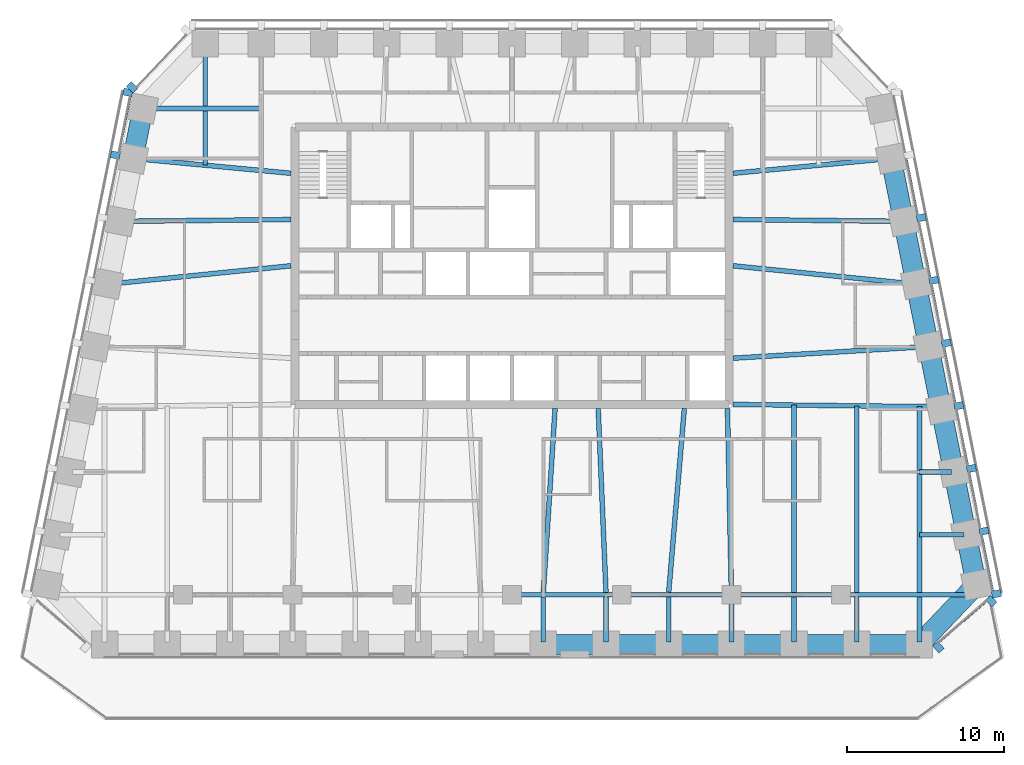
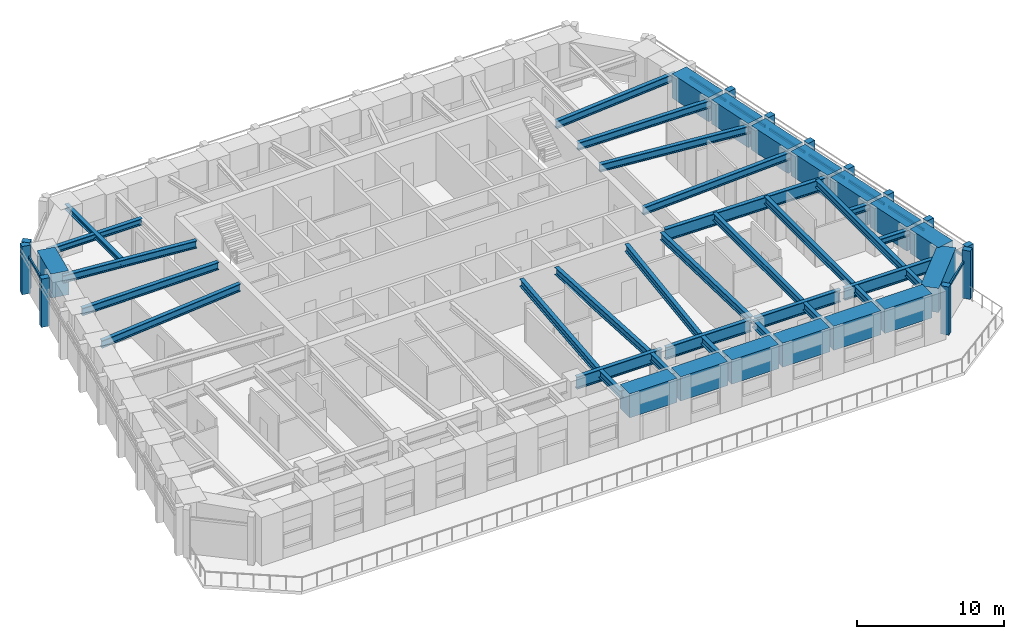
# One storey, part 2 of 11: 45 beams, 21 members, 4 elements without a shape of their own.
"""IFC4 building model written with IfcOpenShell, lengths in metres."""

from ifc_helpers import new_model, si_unit, direction, frame, origin, origin_2d, place, context, subcontext, project, spatial, rectangle, i_section, extrude, material, material_profile, profile_set, type_object, element, aggregate, save


model = new_model("IFC4")

# Units and contexts
model_context = context("Model", 3, precision=1e-05, world=origin(), true_north=direction((0.0, 1.0)))
body_context = subcontext(model_context, "Body", "Model", "MODEL_VIEW")
ifc_project = project(units=[si_unit("LENGTHUNIT", "METRE"), si_unit("AREAUNIT", "SQUARE_METRE"), si_unit("VOLUMEUNIT", "CUBIC_METRE"), si_unit("PLANEANGLEUNIT", "RADIAN"), si_unit("MASSUNIT", "GRAM", prefix="KILO")], contexts=[model_context])

# Site, building, storey
site_placement = place(None, origin())
site = spatial("IfcSite", under=ifc_project, at=site_placement, CompositionType="ELEMENT")
building_placement = place(site_placement, origin())
building = spatial("IfcBuilding", under=site, at=building_placement, Name="Isbrekke Arena Tower", CompositionType="ELEMENT")
storey_placement = place(building_placement, frame((0.0, 0.0, 272.0)))
storey = spatial("IfcBuildingStorey", under=building, at=storey_placement, Name="L63", CompositionType="ELEMENT", Elevation=272.0)

# Beams
ifc_material_1 = material(Name="Steel S355", Category="steel")
ifc_material_profile_1 = material_profile(ifc_material_1, i_section(OverallWidth=0.304931640625, OverallDepth=0.6201171875, WebThickness=0.02099609375, FlangeThickness=0.0400390625, FilletRadius=0.027099609375, at=origin_2d()), Name="HEM 600")
ifc_profile_set_1 = profile_set([ifc_material_profile_1], Name="Steel S355")
beam_type_1 = type_object("IfcBeamType", Name="B4 HEM 600", PredefinedType="BEAM", material=ifc_profile_set_1)
for number, where, z_axis, x_axis, name in (
    (1, (2.0, -9.02490234375, 3.5400390625), (0.0, 1.0, 0.0), (-1.0, 0.0, 0.0), "B4 beam S-S08 L63"),
    (2, (6.0, -9.02490234375, 3.5400390625), (0.0, 1.0, 0.0), (-1.0, 0.0, 0.0), "B4 beam S-S09 L63"),
    (3, (10.0, -9.02490234375, 3.5400390625), (0.0, 1.0, 0.0), (-1.0, 0.0, 0.0), "B4 beam S-S10 L63"),
):
    element("IfcBeam", number, at=place(storey_placement, frame(where, z_axis=z_axis, x_axis=x_axis)), inside=storey, type_object=beam_type_1, Name=name, PredefinedType="BEAM", context=body_context, shape_type="SweptSolid", body=[
        extrude(i_section(OverallWidth=0.304931640625, OverallDepth=0.6201171875, WebThickness=0.02099609375, FlangeThickness=0.0400390625, FilletRadius=0.027099609375, at=origin_2d()), origin(), (0.0, 0.0, 1.0), 2.8740234375),
    ])
beam_1_placement = place(storey_placement, frame((14.0, -9.02490234375, 3.5400390625), z_axis=(0.0, 1.0, 0.0), x_axis=(-1.0, 0.0, 0.0)))
element("IfcBeam", 4, at=beam_1_placement, inside=storey, type_object=beam_type_1, Name="B4 beam S-S11 L63", PredefinedType="BEAM", context=body_context, shape_type="SweptSolid", body=[
    extrude(i_section(OverallWidth=0.304931640625, OverallDepth=0.6201171875, WebThickness=0.02099609375, FlangeThickness=0.0400390625, FilletRadius=0.027099609375, at=origin_2d()), origin(), (0.0, 0.0, 1.0), 2.875),
])
for number, where, z_axis, x_axis, name in (
    (5, (18.0, -9.02490234375, 3.5400390625), (0.0, 1.0, 0.0), (-1.0, 0.0, 0.0), "B4 beam S-S12 L63"),
    (6, (22.0, -9.02490234375, 3.5400390625), (0.0, 1.0, 0.0), (-1.0, 0.0, 0.0), "B4 beam S-S13 L63"),
    (7, (26.0, -9.02490234375, 3.5400390625), (0.0, 1.0, 0.0), (-1.0, 0.0, 0.0), "B4 beam S-S14 L63"),
):
    element("IfcBeam", number, at=place(storey_placement, frame(where, z_axis=z_axis, x_axis=x_axis)), inside=storey, type_object=beam_type_1, Name=name, PredefinedType="BEAM", context=body_context, shape_type="SweptSolid", body=[
        extrude(i_section(OverallWidth=0.304931640625, OverallDepth=0.6201171875, WebThickness=0.02099609375, FlangeThickness=0.0400390625, FilletRadius=0.027099609375, at=origin_2d()), origin(), (0.0, 0.0, 1.0), 2.8740234375),
    ])
beam_2_placement = place(storey_placement, frame((2.000732421875, -5.83935546875, 3.5400390625), z_axis=(0.063696196046, 0.997969335506, 0.0), x_axis=(-0.997969335506, 0.063696196046, 0.0)))
element("IfcBeam", 8, at=beam_2_placement, inside=storey, type_object=beam_type_1, Name="B4 beam C-M08 L63", PredefinedType="BEAM", context=body_context, shape_type="SweptSolid", body=[
    extrude(i_section(OverallWidth=0.304931640625, OverallDepth=0.6201171875, WebThickness=0.02099609375, FlangeThickness=0.0400390625, FilletRadius=0.027099609375, at=origin_2d()), origin(), (0.0, 0.0, 1.0), 11.76318359375),
])
beam_3_placement = place(storey_placement, frame((5.999755859375, -5.842529296875, 3.5400390625), z_axis=(-0.042521334166, 0.999095559064, 0.0), x_axis=(-0.999095559064, -0.042521334166, 0.0)))
element("IfcBeam", 9, at=beam_3_placement, inside=storey, type_object=beam_type_1, Name="B4 beam C-M09 L63", PredefinedType="BEAM", context=body_context, shape_type="SweptSolid", body=[
    extrude(i_section(OverallWidth=0.304931640625, OverallDepth=0.6201171875, WebThickness=0.02099609375, FlangeThickness=0.0400390625, FilletRadius=0.027099609375, at=origin_2d()), origin(), (0.0, 0.0, 1.0), 11.753173828125),
])
beam_4_placement = place(storey_placement, frame((10.0009765625, -5.836181640625, 3.5400390625), z_axis=(0.084817344046, 0.996396516528, 0.0), x_axis=(-0.996396516528, 0.084817344046, 0.0)))
element("IfcBeam", 10, at=beam_4_placement, inside=storey, type_object=beam_type_1, Name="B4 beam C-M10 L63", PredefinedType="BEAM", context=body_context, shape_type="SweptSolid", body=[
    extrude(i_section(OverallWidth=0.304931640625, OverallDepth=0.6201171875, WebThickness=0.02099609375, FlangeThickness=0.0400390625, FilletRadius=0.027099609375, at=origin_2d()), origin(), (0.0, 0.0, 1.0), 11.778564453125),
])
beam_5_placement = place(storey_placement, frame((14.0, -5.8466796875, 3.5400390625), z_axis=(-0.021277968258, 0.999773598405, 0.0), x_axis=(-0.999773598405, -0.021277968258, 0.0)))
element("IfcBeam", 11, at=beam_5_placement, inside=storey, type_object=beam_type_1, Name="B4 beam C-M11 L63", PredefinedType="BEAM", context=body_context, shape_type="SweptSolid", body=[
    extrude(i_section(OverallWidth=0.304931640625, OverallDepth=0.6201171875, WebThickness=0.02099609375, FlangeThickness=0.0400390625, FilletRadius=0.027099609375, at=origin_2d()), origin(), (0.0, 0.0, 1.0), 11.749267578125),
])
beam_6_placement = place(storey_placement, frame((18.0, -5.84912109375, 3.5400390625), z_axis=(0.0, 1.0, 0.0), x_axis=(-1.0, 0.0, 0.0)))
element("IfcBeam", 12, at=beam_6_placement, inside=storey, type_object=beam_type_1, Name="B4 beam C-M12 L63", PredefinedType="BEAM", context=body_context, shape_type="SweptSolid", body=[
    extrude(i_section(OverallWidth=0.304931640625, OverallDepth=0.6201171875, WebThickness=0.02099609375, FlangeThickness=0.0400390625, FilletRadius=0.027099609375, at=origin_2d()), origin(), (0.0, 0.0, 1.0), 11.955078125),
])
beam_7_placement = place(storey_placement, frame((22.0, -5.84912109375, 3.5400390625), z_axis=(0.0, 1.0, 0.0), x_axis=(-1.0, 0.0, 0.0)))
element("IfcBeam", 13, at=beam_7_placement, inside=storey, type_object=beam_type_1, Name="B4 beam C-M13 L63", PredefinedType="BEAM", context=body_context, shape_type="SweptSolid", body=[
    extrude(i_section(OverallWidth=0.304931640625, OverallDepth=0.6201171875, WebThickness=0.02099609375, FlangeThickness=0.0400390625, FilletRadius=0.027099609375, at=origin_2d()), origin(), (0.0, 0.0, 1.0), 11.909912109375),
])
beam_8_placement = place(storey_placement, frame((26.0, -5.84912109375, 3.5400390625), z_axis=(0.0, 1.0, 0.0), x_axis=(-1.0, 0.0, 0.0)))
element("IfcBeam", 14, at=beam_8_placement, inside=storey, type_object=beam_type_1, Name="B4 beam C-M14 L63", PredefinedType="BEAM", context=body_context, shape_type="SweptSolid", body=[
    extrude(i_section(OverallWidth=0.304931640625, OverallDepth=0.6201171875, WebThickness=0.02099609375, FlangeThickness=0.0400390625, FilletRadius=0.027099609375, at=origin_2d()), origin(), (0.0, 0.0, 1.0), 11.86474609375),
])
beam_9_placement = place(storey_placement, frame((26.431884765625, 9.837646484375, 3.5400390625), z_axis=(-0.998216240514, -0.059702070095, 0.0), x_axis=(0.059702070095, -0.998216240514, 0.0)))
element("IfcBeam", 15, at=beam_9_placement, inside=storey, type_object=beam_type_1, Name="B4 beam E-E05 L63", PredefinedType="BEAM", context=body_context, shape_type="SweptSolid", body=[
    extrude(i_section(OverallWidth=0.304931640625, OverallDepth=0.6201171875, WebThickness=0.02099609375, FlangeThickness=0.0400390625, FilletRadius=0.027099609375, at=origin_2d()), origin(), (0.0, 0.0, 1.0), 12.353759765625),
])
beam_10_placement = place(storey_placement, frame((25.625732421875, 13.83984375, 3.5400390625), z_axis=(-0.994972081505, 0.100152668587, 0.0), x_axis=(-0.100152668587, -0.994972081505, 0.0)))
element("IfcBeam", 16, at=beam_10_placement, inside=storey, type_object=beam_type_1, Name="B4 beam E-E06 L63", PredefinedType="BEAM", context=body_context, shape_type="SweptSolid", body=[
    extrude(i_section(OverallWidth=0.304931640625, OverallDepth=0.6201171875, WebThickness=0.02099609375, FlangeThickness=0.0400390625, FilletRadius=0.027099609375, at=origin_2d()), origin(), (0.0, 0.0, 1.0), 11.583984375),
])
beam_11_placement = place(storey_placement, frame((24.83935546875, 17.838134765625, 3.5400390625), z_axis=(-0.999945800258, 0.010411366203, 0.0), x_axis=(-0.010411366203, -0.999945800258, 0.0)))
element("IfcBeam", 17, at=beam_11_placement, inside=storey, type_object=beam_type_1, Name="B4 beam E-E07 L63", PredefinedType="BEAM", context=body_context, shape_type="SweptSolid", body=[
    extrude(i_section(OverallWidth=0.304931640625, OverallDepth=0.6201171875, WebThickness=0.02099609375, FlangeThickness=0.0400390625, FilletRadius=0.027099609375, at=origin_2d()), origin(), (0.0, 0.0, 1.0), 10.73974609375),
])
for number, where, z_axis, x_axis, name in (
    (18, (24.02685546875, 21.8369140625, 3.5400390625), (-0.995574576627, -0.093974796485, 0.0), (0.093974796485, -0.995574576627, 0.0), "B4 beam E-E08 L63"),
    (19, (-24.02685546875, 21.8369140625, 3.5400390625), (0.995574576627, -0.093974796485, 0.0), (0.093974796485, 0.995574576627, 0.0), "B4 beam E-W02 L63"),
):
    element("IfcBeam", number, at=place(storey_placement, frame(where, z_axis=z_axis, x_axis=x_axis)), inside=storey, type_object=beam_type_1, Name=name, PredefinedType="BEAM", context=body_context, shape_type="SweptSolid", body=[
        extrude(i_section(OverallWidth=0.304931640625, OverallDepth=0.6201171875, WebThickness=0.02099609375, FlangeThickness=0.0400390625, FilletRadius=0.027099609375, at=origin_2d()), origin(), (0.0, 0.0, 1.0), 9.970947265625),
    ])
beam_12_placement = place(storey_placement, frame((-24.83935546875, 17.838134765625, 3.5400390625), z_axis=(0.999945800258, 0.010411366203, 0.0), x_axis=(-0.010411366203, 0.999945800258, 0.0)))
element("IfcBeam", 20, at=beam_12_placement, inside=storey, type_object=beam_type_1, Name="B4 beam E-W03 L63", PredefinedType="BEAM", context=body_context, shape_type="SweptSolid", body=[
    extrude(i_section(OverallWidth=0.304931640625, OverallDepth=0.6201171875, WebThickness=0.02099609375, FlangeThickness=0.0400390625, FilletRadius=0.027099609375, at=origin_2d()), origin(), (0.0, 0.0, 1.0), 10.73974609375),
])
beam_13_placement = place(storey_placement, frame((-25.625732421875, 13.83984375, 3.5400390625), z_axis=(0.994972081505, 0.100152668587, 0.0), x_axis=(-0.100152668587, 0.994972081505, 0.0)))
element("IfcBeam", 21, at=beam_13_placement, inside=storey, type_object=beam_type_1, Name="B4 beam E-W04 L63", PredefinedType="BEAM", context=body_context, shape_type="SweptSolid", body=[
    extrude(i_section(OverallWidth=0.304931640625, OverallDepth=0.6201171875, WebThickness=0.02099609375, FlangeThickness=0.0400390625, FilletRadius=0.027099609375, at=origin_2d()), origin(), (0.0, 0.0, 1.0), 11.583984375),
])
ifc_material_2 = material(Name="Steel S355", Category="steel")
ifc_material_profile_2 = material_profile(ifc_material_2, i_section(OverallWidth=0.305908203125, OverallDepth=0.52392578125, WebThickness=0.02099609375, FlangeThickness=0.0400390625, FilletRadius=0.027099609375, at=origin_2d()), Name="HEM 500")
ifc_profile_set_2 = profile_set([ifc_material_profile_2], Name="Steel S355")
beam_type_2 = type_object("IfcBeamType", Name="B5 HEM 500", PredefinedType="BEAM", material=ifc_profile_set_2)
beam_14_placement = place(storey_placement, frame((28.841064453125, -2.161865234375, 3.587890625), z_axis=(-1.0, 0.0, 0.0), x_axis=(0.0, -1.0, 0.0)))
element("IfcBeam", 22, at=beam_14_placement, inside=storey, type_object=beam_type_2, Name="B5 beam E-E02 L63", PredefinedType="BEAM", context=body_context, shape_type="SweptSolid", body=[
    extrude(i_section(OverallWidth=0.305908203125, OverallDepth=0.52392578125, WebThickness=0.02099609375, FlangeThickness=0.0400390625, FilletRadius=0.027099609375, at=origin_2d()), origin(), (0.0, 0.0, 1.0), 2.841064453125),
])
beam_15_placement = place(storey_placement, frame((28.041015625, 1.838134765625, 3.587890625), z_axis=(-1.0, 0.0, 0.0), x_axis=(0.0, -1.0, 0.0)))
element("IfcBeam", 23, at=beam_15_placement, inside=storey, type_object=beam_type_2, Name="B5 beam E-E03 L63", PredefinedType="BEAM", context=body_context, shape_type="SweptSolid", body=[
    extrude(i_section(OverallWidth=0.305908203125, OverallDepth=0.52392578125, WebThickness=0.02099609375, FlangeThickness=0.0400390625, FilletRadius=0.027099609375, at=origin_2d()), origin(), (0.0, 0.0, 1.0), 2.041015625),
])
beam_16_placement = place(storey_placement, frame((-23.40283203125, 25.029296875, 3.587890625), z_axis=(1.0, 0.0, 0.0), x_axis=(0.0, 1.0, 0.0)))
element("IfcBeam", 24, at=beam_16_placement, inside=storey, type_object=beam_type_2, Name="B5 beam E-W01 L63", PredefinedType="BEAM", context=body_context, shape_type="SweptSolid", body=[
    extrude(i_section(OverallWidth=0.305908203125, OverallDepth=0.52392578125, WebThickness=0.02099609375, FlangeThickness=0.0400390625, FilletRadius=0.027099609375, at=origin_2d()), origin(), (0.0, 0.0, 1.0), 7.40283203125),
])
ifc_material_3 = material(Name="Steel S355", Category="steel")
ifc_material_profile_3 = material_profile(ifc_material_3, i_section(OverallWidth=0.306884765625, OverallDepth=0.431884765625, WebThickness=0.02099609375, FlangeThickness=0.0400390625, FilletRadius=0.027099609375, at=origin_2d()), Name="HEM 400")
ifc_profile_set_3 = profile_set([ifc_material_profile_3], Name="Steel S355")
beam_type_3 = type_object("IfcBeamType", Name="B6 HEM 400", PredefinedType="BEAM", material=ifc_profile_set_3)
beam_17_placement = place(storey_placement, frame((-19.574951171875, 29.02490234375, 3.634033203125), z_axis=(0.0, -1.0, 0.0), x_axis=(1.0, 0.0, 0.0)))
element("IfcBeam", 25, at=beam_17_placement, inside=storey, type_object=beam_type_3, Name="B6 beam N-N11 L63", PredefinedType="BEAM", context=body_context, shape_type="SweptSolid", body=[
    extrude(i_section(OverallWidth=0.306884765625, OverallDepth=0.431884765625, WebThickness=0.02099609375, FlangeThickness=0.0400390625, FilletRadius=0.027099609375, at=origin_2d()), origin(), (0.0, 0.0, 1.0), 7.608154296875),
])

# Curtain wall, members
ifc_material_4 = material(Name="Glazed aluminium curtain wall", Category="aluminium")
curtain_wall_type = type_object("IfcCurtainWallType", Name="CWT TOWER CURTAIN WALL TOP ZONE", PredefinedType="USERDEFINED", material=ifc_material_4)
curtain_wall_1_placement = place(storey_placement, origin())
curtain_wall_1 = element("IfcCurtainWall", 26, at=curtain_wall_1_placement, inside=storey, type_object=curtain_wall_type, Name="CWT curtain wall L63-SE", ObjectType="TOWER CURTAIN WALL TOP ZONE", PredefinedType="USERDEFINED")
ifc_material_5 = material(Name="Copper-clad aluminium mullion", Category="aluminium")
ifc_material_profile_4 = material_profile(ifc_material_5, rectangle(XDim=0.449951171875, YDim=0.60009765625, at=origin_2d()), Name="PIER 450X600")
ifc_profile_set_4 = profile_set([ifc_material_profile_4], Name="Copper-clad aluminium mullion")
member_type_1 = type_object("IfcMemberType", Name="CWT-M PIER MULLION 450 x 600", PredefinedType="MULLION", material=ifc_profile_set_4)
member_1_placement = place(storey_placement, frame((27.214111328125, -9.341796875, 0.0), z_axis=(0.0, 0.0, 1.0), x_axis=(0.754605522159, 0.65617871493, 0.0)))
member_1 = element("IfcMember", 27, at=member_1_placement, type_object=member_type_1, Name="CWT-M mullion 1", PredefinedType="MULLION", context=body_context, shape_type="SweptSolid", body=[
    extrude(rectangle(XDim=0.449951171875, YDim=0.60009765625, at=origin_2d()), origin(), (0.0, 0.0, 1.0), 4.0),
])
member_2_placement = place(storey_placement, frame((30.593505859375, -6.4033203125, 0.0), z_axis=(0.0, 0.0, 1.0), x_axis=(0.754605522159, 0.65617871493, 0.0)))
member_2 = element("IfcMember", 28, at=member_2_placement, type_object=member_type_1, Name="CWT-M mullion 2", PredefinedType="MULLION", context=body_context, shape_type="SweptSolid", body=[
    extrude(rectangle(XDim=0.449951171875, YDim=0.60009765625, at=origin_2d()), origin(), (0.0, 0.0, 1.0), 4.0),
])

curtain_wall_2_placement = place(storey_placement, origin())
curtain_wall_2 = element("IfcCurtainWall", 29, at=curtain_wall_2_placement, inside=storey, type_object=curtain_wall_type, Name="CWT curtain wall L63-E", ObjectType="TOWER CURTAIN WALL TOP ZONE", PredefinedType="USERDEFINED")
member_3_placement = place(storey_placement, frame((30.918701171875, -5.936279296875, 0.0), z_axis=(0.0, 0.0, 1.0), x_axis=(-0.196116135138, 0.980580675691, 0.0)))
member_3 = element("IfcMember", 30, at=member_3_placement, type_object=member_type_1, Name="CWT-M mullion 1", PredefinedType="MULLION", context=body_context, shape_type="SweptSolid", body=[
    extrude(rectangle(XDim=0.449951171875, YDim=0.60009765625, at=origin_2d()), origin(), (0.0, 0.0, 1.0), 4.0),
])
member_4_placement = place(storey_placement, frame((30.11865234375, -1.936279296875, 0.0), z_axis=(0.0, 0.0, 1.0), x_axis=(-0.196116135138, 0.980580675691, 0.0)))
member_4 = element("IfcMember", 31, at=member_4_placement, type_object=member_type_1, Name="CWT-M mullion 2", PredefinedType="MULLION", context=body_context, shape_type="SweptSolid", body=[
    extrude(rectangle(XDim=0.449951171875, YDim=0.60009765625, at=origin_2d()), origin(), (0.0, 0.0, 1.0), 4.0),
])
member_5_placement = place(storey_placement, frame((29.318603515625, 2.063720703125, 0.0), z_axis=(0.0, 0.0, 1.0), x_axis=(-0.196116135138, 0.980580675691, 0.0)))
member_5 = element("IfcMember", 32, at=member_5_placement, type_object=member_type_1, Name="CWT-M mullion 3", PredefinedType="MULLION", context=body_context, shape_type="SweptSolid", body=[
    extrude(rectangle(XDim=0.449951171875, YDim=0.60009765625, at=origin_2d()), origin(), (0.0, 0.0, 1.0), 4.0),
])
member_6_placement = place(storey_placement, frame((28.518798828125, 6.063720703125, 0.0), z_axis=(0.0, 0.0, 1.0), x_axis=(-0.196116135138, 0.980580675691, 0.0)))
member_6 = element("IfcMember", 33, at=member_6_placement, type_object=member_type_1, Name="CWT-M mullion 4", PredefinedType="MULLION", context=body_context, shape_type="SweptSolid", body=[
    extrude(rectangle(XDim=0.449951171875, YDim=0.60009765625, at=origin_2d()), origin(), (0.0, 0.0, 1.0), 4.0),
])
member_7_placement = place(storey_placement, frame((27.71875, 10.063720703125, 0.0), z_axis=(0.0, 0.0, 1.0), x_axis=(-0.196116135138, 0.980580675691, 0.0)))
member_7 = element("IfcMember", 34, at=member_7_placement, type_object=member_type_1, Name="CWT-M mullion 5", PredefinedType="MULLION", context=body_context, shape_type="SweptSolid", body=[
    extrude(rectangle(XDim=0.449951171875, YDim=0.60009765625, at=origin_2d()), origin(), (0.0, 0.0, 1.0), 4.0),
])
member_8_placement = place(storey_placement, frame((26.918701171875, 14.063720703125, 0.0), z_axis=(0.0, 0.0, 1.0), x_axis=(-0.196116135138, 0.980580675691, 0.0)))
member_8 = element("IfcMember", 35, at=member_8_placement, type_object=member_type_1, Name="CWT-M mullion 6", PredefinedType="MULLION", context=body_context, shape_type="SweptSolid", body=[
    extrude(rectangle(XDim=0.449951171875, YDim=0.60009765625, at=origin_2d()), origin(), (0.0, 0.0, 1.0), 4.0),
])
member_9_placement = place(storey_placement, frame((26.11865234375, 18.063720703125, 0.0), z_axis=(0.0, 0.0, 1.0), x_axis=(-0.196116135138, 0.980580675691, 0.0)))
member_9 = element("IfcMember", 36, at=member_9_placement, type_object=member_type_1, Name="CWT-M mullion 7", PredefinedType="MULLION", context=body_context, shape_type="SweptSolid", body=[
    extrude(rectangle(XDim=0.449951171875, YDim=0.60009765625, at=origin_2d()), origin(), (0.0, 0.0, 1.0), 4.0),
])

# Curtain wall, member
curtain_wall_3_placement = place(storey_placement, origin())
curtain_wall_3 = element("IfcCurtainWall", 37, at=curtain_wall_3_placement, inside=storey, type_object=curtain_wall_type, Name="CWT curtain wall L63-NW", ObjectType="TOWER CURTAIN WALL TOP ZONE", PredefinedType="USERDEFINED")
member_10_placement = place(storey_placement, frame((-24.243896484375, 26.389404296875, 0.0), z_axis=(0.0, 0.0, 1.0), x_axis=(-0.68874946192, -0.72499943359, 0.0)))
member_10 = element("IfcMember", 38, at=member_10_placement, type_object=member_type_1, Name="CWT-M mullion 2", PredefinedType="MULLION", context=body_context, shape_type="SweptSolid", body=[
    extrude(rectangle(XDim=0.449951171875, YDim=0.60009765625, at=origin_2d()), origin(), (0.0, 0.0, 1.0), 4.0),
])
aggregate(curtain_wall_3, [member_10])

# Curtain wall, members
curtain_wall_4_placement = place(storey_placement, origin())
curtain_wall_4 = element("IfcCurtainWall", 39, at=curtain_wall_4_placement, inside=storey, type_object=curtain_wall_type, Name="CWT curtain wall L63-W", ObjectType="TOWER CURTAIN WALL TOP ZONE", PredefinedType="USERDEFINED")
member_11_placement = place(storey_placement, frame((-24.518798828125, 26.063720703125, 0.0), z_axis=(0.0, 0.0, 1.0), x_axis=(-0.196116135138, -0.980580675691, 0.0)))
member_11 = element("IfcMember", 40, at=member_11_placement, type_object=member_type_1, Name="CWT-M mullion 1", PredefinedType="MULLION", context=body_context, shape_type="SweptSolid", body=[
    extrude(rectangle(XDim=0.449951171875, YDim=0.60009765625, at=origin_2d()), origin(), (0.0, 0.0, 1.0), 4.0),
])
member_12_placement = place(storey_placement, frame((-25.318603515625, 22.063720703125, 0.0), z_axis=(0.0, 0.0, 1.0), x_axis=(-0.196116135138, -0.980580675691, 0.0)))
member_12 = element("IfcMember", 41, at=member_12_placement, type_object=member_type_1, Name="CWT-M mullion 2", PredefinedType="MULLION", context=body_context, shape_type="SweptSolid", body=[
    extrude(rectangle(XDim=0.449951171875, YDim=0.60009765625, at=origin_2d()), origin(), (0.0, 0.0, 1.0), 4.0),
])

# Member
ifc_material_6 = material(Name="Aluminium transom", Category="aluminium")
ifc_material_profile_5 = material_profile(ifc_material_6, rectangle(XDim=0.1201171875, YDim=0.199951171875, at=origin_2d()), Name="TRANSOM 120X200")
ifc_profile_set_5 = profile_set([ifc_material_profile_5], Name="Aluminium transom")
member_type_2 = type_object("IfcMemberType", Name="CWT-T TRANSOM 120 x 200", PredefinedType="USERDEFINED", material=ifc_profile_set_5)
member_13_placement = place(storey_placement, frame((27.252685546875, -9.043212890625, 3.0), z_axis=(0.754604217406, 0.656180215393, 0.0), x_axis=(-0.656180215393, 0.754604217406, 0.0)))
member_13 = element("IfcMember", 42, at=member_13_placement, type_object=member_type_2, Name="CWT-T transom 1", ObjectType="TRANSOM", PredefinedType="USERDEFINED", context=body_context, shape_type="SweptSolid", body=[
    extrude(rectangle(XDim=0.1201171875, YDim=0.199951171875, at=origin_2d()), origin(), (0.0, 0.0, 1.0), 4.0283203125),
])

aggregate(curtain_wall_1, [member_1, member_2, member_13])

member_14_placement = place(storey_placement, frame((30.678466796875, -5.7548828125, 3.0), z_axis=(-0.196090262229, 0.980585849918, 0.0), x_axis=(-0.980585849918, -0.196090262229, 0.0)))
member_14 = element("IfcMember", 43, at=member_14_placement, type_object=member_type_2, Name="CWT-T transom 1", ObjectType="TRANSOM", PredefinedType="USERDEFINED", context=body_context, shape_type="SweptSolid", body=[
    extrude(rectangle(XDim=0.1201171875, YDim=0.199951171875, at=origin_2d()), origin(), (0.0, 0.0, 1.0), 3.62939453125),
])

member_15_placement = place(storey_placement, frame((29.87841796875, -1.7548828125, 3.0), z_axis=(-0.196090262229, 0.980585849918, 0.0), x_axis=(-0.980585849918, -0.196090262229, 0.0)))
member_15 = element("IfcMember", 44, at=member_15_placement, type_object=member_type_2, Name="CWT-T transom 2", ObjectType="TRANSOM", PredefinedType="USERDEFINED", context=body_context, shape_type="SweptSolid", body=[
    extrude(rectangle(XDim=0.1201171875, YDim=0.199951171875, at=origin_2d()), origin(), (0.0, 0.0, 1.0), 3.62939453125),
])

member_16_placement = place(storey_placement, frame((29.078369140625, 2.2451171875, 3.0), z_axis=(-0.196090262229, 0.980585849918, 0.0), x_axis=(-0.980585849918, -0.196090262229, 0.0)))
member_16 = element("IfcMember", 45, at=member_16_placement, type_object=member_type_2, Name="CWT-T transom 3", ObjectType="TRANSOM", PredefinedType="USERDEFINED", context=body_context, shape_type="SweptSolid", body=[
    extrude(rectangle(XDim=0.1201171875, YDim=0.199951171875, at=origin_2d()), origin(), (0.0, 0.0, 1.0), 3.62939453125),
])

member_17_placement = place(storey_placement, frame((28.278564453125, 6.2451171875, 3.0), z_axis=(-0.196154943734, 0.980572913173, 0.0), x_axis=(-0.980572913173, -0.196154943734, 0.0)))
member_17 = element("IfcMember", 46, at=member_17_placement, type_object=member_type_2, Name="CWT-T transom 4", ObjectType="TRANSOM", PredefinedType="USERDEFINED", context=body_context, shape_type="SweptSolid", body=[
    extrude(rectangle(XDim=0.1201171875, YDim=0.199951171875, at=origin_2d()), origin(), (0.0, 0.0, 1.0), 3.62939453125),
])

member_18_placement = place(storey_placement, frame((27.478515625, 10.2451171875, 3.0), z_axis=(-0.196154943734, 0.980572913173, 0.0), x_axis=(-0.980572913173, -0.196154943734, 0.0)))
member_18 = element("IfcMember", 47, at=member_18_placement, type_object=member_type_2, Name="CWT-T transom 5", ObjectType="TRANSOM", PredefinedType="USERDEFINED", context=body_context, shape_type="SweptSolid", body=[
    extrude(rectangle(XDim=0.1201171875, YDim=0.199951171875, at=origin_2d()), origin(), (0.0, 0.0, 1.0), 3.62939453125),
])

member_19_placement = place(storey_placement, frame((26.678466796875, 14.2451171875, 3.0), z_axis=(-0.196090262229, 0.980585849918, 0.0), x_axis=(-0.980585849918, -0.196090262229, 0.0)))
member_19 = element("IfcMember", 48, at=member_19_placement, type_object=member_type_2, Name="CWT-T transom 6", ObjectType="TRANSOM", PredefinedType="USERDEFINED", context=body_context, shape_type="SweptSolid", body=[
    extrude(rectangle(XDim=0.1201171875, YDim=0.199951171875, at=origin_2d()), origin(), (0.0, 0.0, 1.0), 3.62939453125),
])

member_20_placement = place(storey_placement, frame((25.87841796875, 18.2451171875, 3.0), z_axis=(-0.196090262229, 0.980585849918, 0.0), x_axis=(-0.980585849918, -0.196090262229, 0.0)))
member_20 = element("IfcMember", 49, at=member_20_placement, type_object=member_type_2, Name="CWT-T transom 7", ObjectType="TRANSOM", PredefinedType="USERDEFINED", context=body_context, shape_type="SweptSolid", body=[
    extrude(rectangle(XDim=0.1201171875, YDim=0.199951171875, at=origin_2d()), origin(), (0.0, 0.0, 1.0), 3.62939453125),
])

aggregate(curtain_wall_2, [member_3, member_4, member_5, member_6, member_7, member_8, member_9, member_14, member_15, member_16, member_17, member_18, member_19, member_20])

member_21_placement = place(storey_placement, frame((-24.36669921875, 25.803955078125, 3.0), z_axis=(-0.196090262229, -0.980585849918, 0.0), x_axis=(0.980585849918, -0.196090262229, 0.0)))
member_21 = element("IfcMember", 50, at=member_21_placement, type_object=member_type_2, Name="CWT-T transom 1", ObjectType="TRANSOM", PredefinedType="USERDEFINED", context=body_context, shape_type="SweptSolid", body=[
    extrude(rectangle(XDim=0.1201171875, YDim=0.199951171875, at=origin_2d()), origin(), (0.0, 0.0, 1.0), 3.62939453125),
])

aggregate(curtain_wall_4, [member_11, member_12, member_21])

# Beams
ifc_material_7 = material(Name="Steel S355", Category="steel")
ifc_material_profile_6 = material_profile(ifc_material_7, i_section(OverallWidth=0.302001953125, OverallDepth=1.008056640625, WebThickness=0.02099609375, FlangeThickness=0.0400390625, FilletRadius=0.030029296875, at=origin_2d()), Name="HEM 1000")
ifc_profile_set_6 = profile_set([ifc_material_profile_6], Name="Steel S355")
beam_type_4 = type_object("IfcBeamType", Name="G1 HEM 1000", PredefinedType="BEAM", material=ifc_profile_set_6)
for number, where, z_axis, x_axis, name in (
    (51, (0.14990234375, -6.0, 3.345947265625), (1.0, 0.0, 0.0), (0.0, 1.0, 0.0), "G1 beam G1-05 L63"),
    (52, (7.14990234375, -6.0, 3.345947265625), (1.0, 0.0, 0.0), (0.0, 1.0, 0.0), "G1 beam G1-06 L63"),
    (53, (14.14990234375, -6.0, 3.345947265625), (1.0, 0.0, 0.0), (0.0, 1.0, 0.0), "G1 beam G1-07 L63"),
):
    element("IfcBeam", number, at=place(storey_placement, frame(where, z_axis=z_axis, x_axis=x_axis)), inside=storey, type_object=beam_type_4, Name=name, PredefinedType="BEAM", context=body_context, shape_type="SweptSolid", body=[
        extrude(i_section(OverallWidth=0.302001953125, OverallDepth=1.008056640625, WebThickness=0.02099609375, FlangeThickness=0.0400390625, FilletRadius=0.030029296875, at=origin_2d()), origin(), (0.0, 0.0, 1.0), 6.7001953125),
    ])
beam_18_placement = place(storey_placement, frame((21.14990234375, -6.0, 3.345947265625), z_axis=(1.0, 0.0, 0.0), x_axis=(0.0, 1.0, 0.0)))
element("IfcBeam", 54, at=beam_18_placement, inside=storey, type_object=beam_type_4, Name="G1 beam G1-08 L63", PredefinedType="BEAM", context=body_context, shape_type="SweptSolid", body=[
    extrude(i_section(OverallWidth=0.302001953125, OverallDepth=1.008056640625, WebThickness=0.02099609375, FlangeThickness=0.0400390625, FilletRadius=0.030029296875, at=origin_2d()), origin(), (0.0, 0.0, 1.0), 8.479248046875),
])
ifc_material_8 = material(Name="Steel S355", Category="steel")
ifc_material_profile_7 = material_profile(ifc_material_8, i_section(OverallWidth=0.302001953125, OverallDepth=1.008056640625, WebThickness=0.02099609375, FlangeThickness=0.0400390625, FilletRadius=0.030029296875, at=origin_2d()), Name="HEM 1000")
ifc_profile_set_7 = profile_set([ifc_material_profile_7], Name="Steel S355")
beam_type_5 = type_object("IfcBeamType", Name="G2 HEM 1000", PredefinedType="BEAM", material=ifc_profile_set_7)
beam_19_placement = place(storey_placement, frame((14.10009765625, 6.14990234375, 3.345947265625), z_axis=(0.999936387749, -0.011279204565, 0.0), x_axis=(0.011279204565, 0.999936387749, 0.0)))
element("IfcBeam", 55, at=beam_19_placement, inside=storey, type_object=beam_type_5, Name="G2 beam G2-E L63", PredefinedType="BEAM", context=body_context, shape_type="SweptSolid", body=[
    extrude(i_section(OverallWidth=0.302001953125, OverallDepth=1.008056640625, WebThickness=0.02099609375, FlangeThickness=0.0400390625, FilletRadius=0.030029296875, at=origin_2d()), origin(), (0.0, 0.0, 1.0), 13.2900390625),
])
ifc_material_9 = material(Name="Concrete B55 (C55/67)", Category="concrete")
ifc_material_profile_8 = material_profile(ifc_material_9, rectangle(XDim=1.300048828125, YDim=2.0, at=origin_2d()), Name="RC 1300x2000")
ifc_profile_set_8 = profile_set([ifc_material_profile_8], Name="Concrete B55 (C55/67)")
beam_type_6 = type_object("IfcBeamType", Name="SB4 RC 1300 x 2000", PredefinedType="SPANDREL", material=ifc_profile_set_8)
for number, where, z_axis, x_axis, name in (
    (56, (2.14990234375, -9.175048828125, 3.0), (1.0, 0.0, 0.0), (0.0, 1.0, 0.0), "SB4 spandrel S08-S09 L63"),
    (57, (6.14990234375, -9.175048828125, 3.0), (1.0, 0.0, 0.0), (0.0, 1.0, 0.0), "SB4 spandrel S09-S10 L63"),
    (58, (10.14990234375, -9.175048828125, 3.0), (1.0, 0.0, 0.0), (0.0, 1.0, 0.0), "SB4 spandrel S10-S11 L63"),
    (59, (14.14990234375, -9.175048828125, 3.0), (1.0, 0.0, 0.0), (0.0, 1.0, 0.0), "SB4 spandrel S11-S12 L63"),
    (60, (18.14990234375, -9.175048828125, 3.0), (1.0, 0.0, 0.0), (0.0, 1.0, 0.0), "SB4 spandrel S12-S13 L63"),
    (61, (22.14990234375, -9.175048828125, 3.0), (1.0, 0.0, 0.0), (0.0, 1.0, 0.0), "SB4 spandrel S13-S14 L63"),
):
    element("IfcBeam", number, at=place(storey_placement, frame(where, z_axis=z_axis, x_axis=x_axis)), inside=storey, type_object=beam_type_6, Name=name, PredefinedType="SPANDREL", context=body_context, shape_type="SweptSolid", body=[
        extrude(rectangle(XDim=1.300048828125, YDim=2.0, at=origin_2d()), origin(), (0.0, 0.0, 1.0), 3.7001953125),
    ])
beam_20_placement = place(storey_placement, frame((26.103271484375, -9.066162109375, 3.0), z_axis=(0.688573884881, 0.725166191339, 0.0), x_axis=(-0.725166191339, 0.688573884881, 0.0)))
element("IfcBeam", 62, at=beam_20_placement, inside=storey, type_object=beam_type_6, Name="SB4 spandrel S14-E01 L63", PredefinedType="SPANDREL", context=body_context, shape_type="SweptSolid", body=[
    extrude(rectangle(XDim=1.300048828125, YDim=2.0, at=origin_2d()), origin(), (0.0, 0.0, 1.0), 4.970458984375),
])
beam_21_placement = place(storey_placement, frame((29.599853515625, -5.205810546875, 3.0), z_axis=(-0.196100243168, 0.980583853951, 0.0), x_axis=(-0.980583853951, -0.196100243168, 0.0)))
element("IfcBeam", 63, at=beam_21_placement, inside=storey, type_object=beam_type_6, Name="SB4 spandrel E01-E02 L63", PredefinedType="SPANDREL", context=body_context, shape_type="SweptSolid", body=[
    extrude(rectangle(XDim=1.300048828125, YDim=2.0, at=origin_2d()), origin(), (0.0, 0.0, 1.0), 2.954345703125),
])
for number, where, z_axis, x_axis, name in (
    (64, (28.961669921875, -2.0146484375, 3.0), (-0.196128558387, 0.980578190959, 0.0), (-0.980578190959, -0.196128558387, 0.0), "SB4 spandrel E02-E03 L63"),
    (65, (28.16162109375, 1.9853515625, 3.0), (-0.196128558387, 0.980578190959, 0.0), (-0.980578190959, -0.196128558387, 0.0), "SB4 spandrel E03-E04 L63"),
    (66, (27.361572265625, 5.9853515625, 3.0), (-0.196128558387, 0.980578190959, 0.0), (-0.980578190959, -0.196128558387, 0.0), "SB4 spandrel E04-E05 L63"),
):
    element("IfcBeam", number, at=place(storey_placement, frame(where, z_axis=z_axis, x_axis=x_axis)), inside=storey, type_object=beam_type_6, Name=name, PredefinedType="SPANDREL", context=body_context, shape_type="SweptSolid", body=[
        extrude(rectangle(XDim=1.300048828125, YDim=2.0, at=origin_2d()), origin(), (0.0, 0.0, 1.0), 3.779296875),
    ])
beam_22_placement = place(storey_placement, frame((26.5615234375, 9.9853515625, 3.0), z_axis=(-0.1960664412, 0.980590613169, 0.0), x_axis=(-0.980590613169, -0.1960664412, 0.0)))
element("IfcBeam", 67, at=beam_22_placement, inside=storey, type_object=beam_type_6, Name="SB4 spandrel E05-E06 L63", PredefinedType="SPANDREL", context=body_context, shape_type="SweptSolid", body=[
    extrude(rectangle(XDim=1.300048828125, YDim=2.0, at=origin_2d()), origin(), (0.0, 0.0, 1.0), 3.779052734375),
])
for number, where, z_axis, x_axis, name in (
    (68, (25.76171875, 13.9853515625, 3.0), (-0.196128558387, 0.980578190959, 0.0), (-0.980578190959, -0.196128558387, 0.0), "SB4 spandrel E06-E07 L63"),
    (69, (24.961669921875, 17.9853515625, 3.0), (-0.196128558387, 0.980578190959, 0.0), (-0.980578190959, -0.196128558387, 0.0), "SB4 spandrel E07-E08 L63"),
):
    element("IfcBeam", number, at=place(storey_placement, frame(where, z_axis=z_axis, x_axis=x_axis)), inside=storey, type_object=beam_type_6, Name=name, PredefinedType="SPANDREL", context=body_context, shape_type="SweptSolid", body=[
        extrude(rectangle(XDim=1.300048828125, YDim=2.0, at=origin_2d()), origin(), (0.0, 0.0, 1.0), 3.779296875),
    ])
beam_23_placement = place(storey_placement, frame((-23.582275390625, 24.882080078125, 3.0), z_axis=(-0.196116135138, -0.980580675691, 0.0), x_axis=(0.980580675691, -0.196116135138, 0.0)))
element("IfcBeam", 70, at=beam_23_placement, inside=storey, type_object=beam_type_6, Name="SB4 spandrel W01-W02 L63", PredefinedType="SPANDREL", context=body_context, shape_type="SweptSolid", body=[
    extrude(rectangle(XDim=1.300048828125, YDim=2.0, at=origin_2d()), origin(), (0.0, 0.0, 1.0), 2.9541015625),
])

save(model, "model.ifc")
